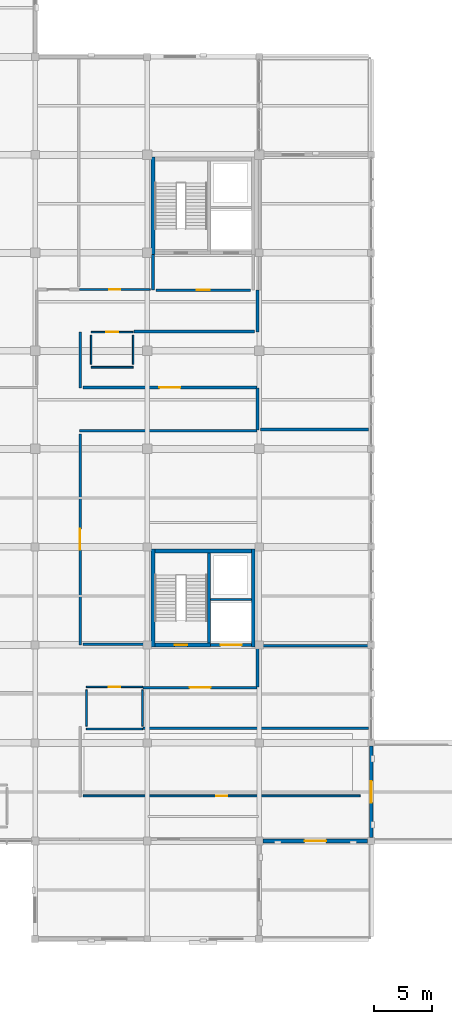
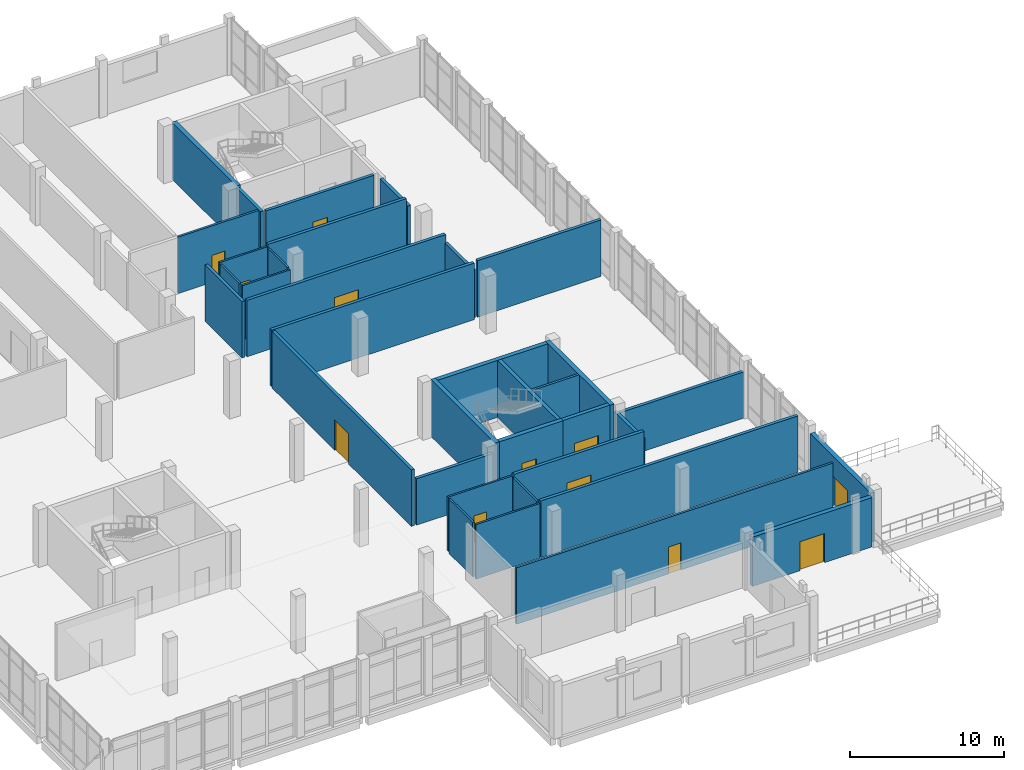
# One storey, part 93 of 102: 35 walls, 12 doors, 12 openings.
"""IFC4 building model written with IfcOpenShell, lengths in metres."""

from ifc_helpers import new_model, si_unit, direction, frame, frame_2d, origin, place, context, subcontext, project, spatial, rectangle, extrude, material, layer, layer_set, type_object, element, fill, save


model = new_model("IFC4")

# Units and contexts
model_context = context("Model", 3, precision=1e-05, world=origin(), true_north=direction((0.0, 1.0)))
body_context = subcontext(model_context, "Body", "Model", "MODEL_VIEW")
ifc_project = project(units=[si_unit("LENGTHUNIT", "METRE"), si_unit("AREAUNIT", "SQUARE_METRE"), si_unit("VOLUMEUNIT", "CUBIC_METRE"), si_unit("PLANEANGLEUNIT", "RADIAN"), si_unit("MASSUNIT", "GRAM", prefix="KILO")], contexts=[model_context])

# Site, building, storey
site_placement = place(None, origin())
site = spatial("IfcSite", under=ifc_project, at=site_placement, CompositionType="ELEMENT")
building_placement = place(site_placement, origin())
building = spatial("IfcBuilding", under=site, at=building_placement, Name="Lornevale Opera House", CompositionType="ELEMENT")
storey_placement = place(building_placement, frame((0.0, 0.0, 5.39990234375)))
storey = spatial("IfcBuildingStorey", under=building, at=storey_placement, Name="L02", CompositionType="ELEMENT", Elevation=5.39990234375)

# Wall, opening, door
ifc_material_1 = material(Name="Queenston Buff Limestone Ashlar Masonry (25 MPa)", Category="masonry")
ifc_layer_1 = layer(ifc_material_1, 0.324951171875)
ifc_layer_set_1 = layer_set([ifc_layer_1], Name="Queenston Buff Limestone Ashlar Masonry (25 MPa)")
wall_type_1 = type_object("IfcWallType", Name="Backstage Limestone Facade Wall 325", PredefinedType="SOLIDWALL", material=ifc_layer_set_1)
wall_1_placement = place(storey_placement, frame((153.300048828125, 16.800048828125, 0.0), z_axis=(0.0, 0.0, 1.0), x_axis=(-1.0, 0.0, 0.0)))
wall_1 = element("IfcWall", 1, at=wall_1_placement, inside=storey, type_object=wall_type_1, Name="Backstage Limestone Facade Wall 325 WL-EXT-0215", PredefinedType="SOLIDWALL", context=body_context, shape_type="SweptSolid", body=[
    extrude(rectangle(XDim=8.97509765625, YDim=0.324951171875, at=frame_2d((4.487548828125, 0.0))), origin(), (0.0, 0.0, 1.0), 3.91015625),
])
opening_1_placement = place(wall_1_placement, frame((3.56201171875, 0.0, 0.0)))
opening_1 = element("IfcOpeningElement", 2, at=opening_1_placement, cuts=wall_1, Name="Opening DR-T03", PredefinedType="OPENING", context=body_context, shape_type="SweptSolid", body=[
    extrude(rectangle(XDim=1.85009765625, YDim=2.300048828125, at=frame_2d((0.925048828125, 1.14990234375))), frame((0.0, 0.17236328125, 0.0), z_axis=(0.0, -1.0, 0.0), x_axis=(1.0, 0.0, 0.0)), (0.0, 0.0, 1.0), 0.344970703125),
])
ifc_material_2 = material(Name="Anodized Oxide-Green Aluminium Framing", Category="aluminium")
ifc_layer_2 = layer(ifc_material_2, 0.050048828125)
ifc_layer_set_2 = layer_set([ifc_layer_2], Name="Anodized Oxide-Green Aluminium Framing")
door_type_1 = type_object("IfcDoorType", Name="Escarpment Terrace Double Door 1850x2300", OperationType="NOTDEFINED", PredefinedType="DOOR", material=ifc_layer_set_2)
door_1_placement = place(opening_1_placement, origin())
door_1 = element("IfcDoor", 3, at=door_1_placement, inside=storey, type_object=door_type_1, Name="Escarpment Terrace Double Door 1850x2300 DR-EXT-037", OperationType="DOUBLE_DOOR_SINGLE_SWING", OverallHeight=2.300048828125, OverallWidth=1.85009765625, PredefinedType="DOOR", context=body_context, shape_type="SweptSolid", body=[
    extrude(rectangle(XDim=1.85009765625, YDim=2.300048828125, at=frame_2d((0.925048828125, 1.14990234375))), frame((0.0, 0.02490234375, 0.0), z_axis=(0.0, -1.0, 0.0), x_axis=(1.0, 0.0, 0.0)), (0.0, 0.0, 1.0), 0.050048828125),
])
fill(opening_1, door_1)

wall_2_placement = place(storey_placement, frame((153.60009765625, 24.925048828125, 0.0), z_axis=(0.0, 0.0, 1.0), x_axis=(0.0, -1.0, 0.0)))
wall_2 = element("IfcWall", 4, at=wall_2_placement, inside=storey, type_object=wall_type_1, Name="Backstage Limestone Facade Wall 325 WL-EXT-0216", PredefinedType="SOLIDWALL", context=body_context, shape_type="SweptSolid", body=[
    extrude(rectangle(XDim=7.824951171875, YDim=0.324951171875, at=frame_2d((3.91259765625, 0.0))), origin(), (0.0, 0.0, 1.0), 3.91015625),
])
opening_2_placement = place(wall_2_placement, frame((2.987060546875, 0.0, 0.0)))
opening_2 = element("IfcOpeningElement", 5, at=opening_2_placement, cuts=wall_2, Name="Opening DR-T03", PredefinedType="OPENING", context=body_context, shape_type="SweptSolid", body=[
    extrude(rectangle(XDim=1.85009765625, YDim=2.300048828125, at=frame_2d((0.925048828125, 1.14990234375))), frame((0.0, 0.17236328125, 0.0), z_axis=(0.0, -1.0, 0.0), x_axis=(1.0, 0.0, 0.0)), (0.0, 0.0, 1.0), 0.344970703125),
])
door_2_placement = place(opening_2_placement, origin())
door_2 = element("IfcDoor", 6, at=door_2_placement, inside=storey, type_object=door_type_1, Name="Escarpment Terrace Double Door 1850x2300 DR-EXT-038", OperationType="DOUBLE_DOOR_SINGLE_SWING", OverallHeight=2.300048828125, OverallWidth=1.85009765625, PredefinedType="DOOR", context=body_context, shape_type="SweptSolid", body=[
    extrude(rectangle(XDim=1.85009765625, YDim=2.300048828125, at=frame_2d((0.925048828125, 1.14990234375))), frame((0.0, 0.02490234375, 0.0), z_axis=(0.0, -1.0, 0.0), x_axis=(1.0, 0.0, 0.0)), (0.0, 0.0, 1.0), 0.050048828125),
])
fill(opening_2, door_2)

# Wall
ifc_material_3 = material(Name="Concrete 40 MPa (CSA A23.1 C-1)", Category="concrete")
ifc_layer_3 = layer(ifc_material_3, 0.320068359375)
ifc_layer_set_3 = layer_set([ifc_layer_3], Name="Concrete 40 MPa (CSA A23.1 C-1)")
wall_type_2 = type_object("IfcWallType", Name="Core Shear Wall 320", PredefinedType="SHEAR", material=ifc_layer_set_3)
wall_3_placement = place(storey_placement, frame((134.89990234375, 75.39990234375, 0.0), z_axis=(0.0, 0.0, 1.0), x_axis=(0.0, -1.0, 0.0)))
element("IfcWall", 7, at=wall_3_placement, inside=storey, type_object=wall_type_2, Name="Backstage Firefighter Core East Core Shear Wall 320 WL-COR-0285", PredefinedType="SHEAR", context=body_context, shape_type="SweptSolid", body=[
    extrude(rectangle(XDim=8.35986328125, YDim=0.320068359375, at=frame_2d((4.179931640625, 0.0))), origin(), (0.0, 0.0, 1.0), 4.52001953125),
])

# Wall, opening, door
wall_4_placement = place(storey_placement, frame((135.06005859375, 33.60009765625, 0.0), z_axis=(0.0, 0.0, 1.0), x_axis=(1.0, 0.0, 0.0)))
wall_4 = element("IfcWall", 8, at=wall_4_placement, inside=storey, type_object=wall_type_2, Name="Backstage Service Lift Core Core Shear Wall 320 WL-COR-0338", PredefinedType="SHEAR", context=body_context, shape_type="SweptSolid", body=[
    extrude(rectangle(XDim=4.780029296875, YDim=0.320068359375, at=frame_2d((2.39013671875, 0.0))), origin(), (0.0, 0.0, 1.0), 4.52001953125),
])
opening_3_placement = place(wall_4_placement, frame((1.68994140625, 0.0, 0.0)))
opening_3 = element("IfcOpeningElement", 9, at=opening_3_placement, cuts=wall_4, Name="Opening DR-T11", PredefinedType="OPENING", context=body_context, shape_type="SweptSolid", body=[
    extrude(rectangle(XDim=1.10009765625, YDim=2.199951171875, at=frame_2d((0.550048828125, 1.10009765625))), frame((0.0, 0.169921875, 0.0), z_axis=(0.0, -1.0, 0.0), x_axis=(1.0, 0.0, 0.0)), (0.0, 0.0, 1.0), 0.340087890625),
])
ifc_material_4 = material(Name="Painted Hollow Metal Door Steel", Category="steel")
ifc_layer_4 = layer(ifc_material_4, 2.199951171875)
ifc_layer_set_4 = layer_set([ifc_layer_4], Name="Painted Hollow Metal Door Steel")
door_type_2 = type_object("IfcDoorType", Name="Protected Exit Stair Door R 1100x2200", OperationType="NOTDEFINED", PredefinedType="DOOR", material=ifc_layer_set_4)
door_3_placement = place(opening_3_placement, origin())
door_3 = element("IfcDoor", 10, at=door_3_placement, inside=storey, type_object=door_type_2, Name="C8 Stair Door L02", OperationType="SINGLE_SWING_RIGHT", OverallHeight=2.199951171875, OverallWidth=1.10009765625, PredefinedType="DOOR", context=body_context, shape_type="SweptSolid", body=[
    extrude(rectangle(XDim=1.10009765625, YDim=2.199951171875, at=frame_2d((0.550048828125, 1.10009765625))), frame((0.0, 0.02490234375, 0.0), z_axis=(0.0, -1.0, 0.0), x_axis=(1.0, 0.0, 0.0)), (0.0, 0.0, 1.0), 0.050048828125),
])
fill(opening_3, door_3)

# Walls
wall_5_placement = place(storey_placement, frame((143.340087890625, 41.639892578125, 0.0), z_axis=(0.0, 0.0, 1.0), x_axis=(-1.0, 0.0, 0.0)))
element("IfcWall", 11, at=wall_5_placement, inside=storey, type_object=wall_type_2, Name="Backstage Service Lift Core Core Shear Wall 320 WL-COR-0340", PredefinedType="SHEAR", context=body_context, shape_type="SweptSolid", body=[
    extrude(rectangle(XDim=8.280029296875, YDim=0.320068359375, at=frame_2d((4.14013671875, 0.0))), origin(), (0.0, 0.0, 1.0), 4.52001953125),
])
for number, where, z_axis, x_axis, name in (
    (12, (134.89990234375, 41.800048828125, 0.0), (0.0, 0.0, 1.0), (0.0, -1.0, 0.0), "Backstage Service Lift Core Core Shear Wall 320 WL-COR-0341"),
    (13, (143.5, 33.43994140625, 0.0), (0.0, 0.0, 1.0), (0.0, 1.0, 0.0), "Backstage Service Lift Core Core Shear Wall 320 WL-COR-0342"),
):
    element("IfcWall", number, at=place(storey_placement, frame(where, z_axis=z_axis, x_axis=x_axis)), inside=storey, type_object=wall_type_2, Name=name, PredefinedType="SHEAR", context=body_context, shape_type="SweptSolid", body=[
        extrude(rectangle(XDim=8.360107421875, YDim=0.320068359375, at=frame_2d((4.18017578125, 0.0))), origin(), (0.0, 0.0, 1.0), 4.52001953125),
    ])

# Wall, opening, door
ifc_material_5 = material(Name="Acoustic Mineral-Core Gypsum Partition", Category="gypsum")
ifc_layer_5 = layer(ifc_material_5, 0.1650390625)
ifc_layer_set_5 = layer_set([ifc_layer_5], Name="Acoustic Mineral-Core Gypsum Partition")
wall_type_3 = type_object("IfcWallType", Name="Corridor Rated Partition 165", PredefinedType="PARTITIONING", material=ifc_layer_set_5)
wall_6_placement = place(storey_placement, frame((128.909912109375, 20.659912109375, 0.0), z_axis=(0.0, 0.0, 1.0), x_axis=(1.0, 0.0, 0.0)))
wall_6 = element("IfcWall", 14, at=wall_6_placement, inside=storey, type_object=wall_type_3, Name="L02 Partition WL-INT-0780", PredefinedType="PARTITIONING", context=body_context, shape_type="SweptSolid", body=[
    extrude(rectangle(XDim=23.734130859375, YDim=0.1650390625, at=frame_2d((11.8671875, 0.0))), origin(), (0.0, 0.0, 1.0), 4.47998046875),
])
opening_4_placement = place(wall_6_placement, frame((11.39208984375, 0.0, 0.0)))
opening_4 = element("IfcOpeningElement", 15, at=opening_4_placement, cuts=wall_6, Name="Opening DR-T19", PredefinedType="OPENING", context=body_context, shape_type="SweptSolid", body=[
    extrude(rectangle(XDim=0.949951171875, YDim=2.14990234375, at=frame_2d((0.47509765625, 1.074951171875))), frame((0.0, 0.092529296875, 0.0), z_axis=(0.0, -1.0, 0.0), x_axis=(1.0, 0.0, 0.0)), (0.0, 0.0, 1.0), 0.18505859375),
])
ifc_material_6 = material(Name="White Oak Acoustic Panelling", Category="wood")
ifc_layer_6 = layer(ifc_material_6, 2.14990234375)
ifc_layer_set_6 = layer_set([ifc_layer_6], Name="White Oak Acoustic Panelling")
door_type_3 = type_object("IfcDoorType", Name="Soloist Dressing Door L 950x2150", OperationType="NOTDEFINED", PredefinedType="DOOR", material=ifc_layer_set_6)
door_4_placement = place(opening_4_placement, origin())
door_4 = element("IfcDoor", 16, at=door_4_placement, inside=storey, type_object=door_type_3, Name="Soloist Dressing Suites Door", OperationType="SINGLE_SWING_LEFT", OverallHeight=2.14990234375, OverallWidth=0.949951171875, PredefinedType="DOOR", context=body_context, shape_type="SweptSolid", body=[
    extrude(rectangle(XDim=0.949951171875, YDim=2.14990234375, at=frame_2d((0.47509765625, 1.074951171875))), frame((0.0, 0.02490234375, 0.0), z_axis=(0.0, -1.0, 0.0), x_axis=(1.0, 0.0, 0.0)), (0.0, 0.0, 1.0), 0.050048828125),
])
fill(opening_4, door_4)

wall_7_placement = place(storey_placement, frame((128.60009765625, 64.06005859375, 0.0), z_axis=(0.0, 0.0, 1.0), x_axis=(1.0, 0.0, 0.0)))
wall_7 = element("IfcWall", 17, at=wall_7_placement, inside=storey, type_object=wall_type_3, Name="L02 Partition WL-INT-0784", PredefinedType="PARTITIONING", context=body_context, shape_type="SweptSolid", body=[
    extrude(rectangle(XDim=6.0498046875, YDim=0.1650390625, at=frame_2d((3.02490234375, 0.0))), origin(), (0.0, 0.0, 1.0), 4.47998046875),
])
opening_5_placement = place(wall_7_placement, frame((2.550048828125, 0.0, 0.0)))
opening_5 = element("IfcOpeningElement", 18, at=opening_5_placement, cuts=wall_7, Name="Opening DR-T20", PredefinedType="OPENING", context=body_context, shape_type="SweptSolid", body=[
    extrude(rectangle(XDim=0.949951171875, YDim=2.14990234375, at=frame_2d((0.47509765625, 1.074951171875))), frame((0.0, 0.092529296875, 0.0), z_axis=(0.0, -1.0, 0.0), x_axis=(1.0, 0.0, 0.0)), (0.0, 0.0, 1.0), 0.18505859375),
])
ifc_layer_7 = layer(ifc_material_6, 2.14990234375)
ifc_layer_set_7 = layer_set([ifc_layer_7], Name="White Oak Acoustic Panelling")
door_type_4 = type_object("IfcDoorType", Name="Soloist Dressing Door R 950x2150", OperationType="NOTDEFINED", PredefinedType="DOOR", material=ifc_layer_set_7)
door_5_placement = place(opening_5_placement, origin())
door_5 = element("IfcDoor", 19, at=door_5_placement, inside=storey, type_object=door_type_4, Name="Artistic Direction & Green Room Door", OperationType="SINGLE_SWING_RIGHT", OverallHeight=2.14990234375, OverallWidth=0.949951171875, PredefinedType="DOOR", context=body_context, shape_type="SweptSolid", body=[
    extrude(rectangle(XDim=0.949951171875, YDim=2.14990234375, at=frame_2d((0.47509765625, 1.074951171875))), frame((0.0, 0.02490234375, 0.0), z_axis=(0.0, -1.0, 0.0), x_axis=(1.0, 0.0, 0.0)), (0.0, 0.0, 1.0), 0.050048828125),
])
fill(opening_5, door_5)

ifc_layer_8 = layer(ifc_material_3, 0.280029296875)
ifc_layer_set_8 = layer_set([ifc_layer_8], Name="Concrete 40 MPa (CSA A23.1 C-1)")
wall_type_4 = type_object("IfcWallType", Name="Elevator Shaft Wall 280", PredefinedType="SHEAR", material=ifc_layer_set_8)
wall_8_placement = place(storey_placement, frame((139.840087890625, 33.60009765625, 0.0), z_axis=(0.0, 0.0, 1.0), x_axis=(1.0, 0.0, 0.0)))
wall_8 = element("IfcWall", 20, at=wall_8_placement, inside=storey, type_object=wall_type_4, Name="Backstage Service Lift Core Elevator Shaft Wall 280 WL-COR-0339", PredefinedType="SHEAR", context=body_context, shape_type="SweptSolid", body=[
    extrude(rectangle(XDim=3.5, YDim=0.280029296875, at=frame_2d((1.75, 0.0))), origin(), (0.0, 0.0, 1.0), 4.52001953125),
])
opening_6_placement = place(wall_8_placement, frame((0.860107421875, 0.0, 0.0)))
opening_6 = element("IfcOpeningElement", 21, at=opening_6_placement, cuts=wall_8, Name="Opening DR-T27", PredefinedType="OPENING", context=body_context, shape_type="SweptSolid", body=[
    extrude(rectangle(XDim=1.800048828125, YDim=2.39990234375, at=frame_2d((0.89990234375, 1.199951171875))), frame((0.0, 0.14990234375, 0.0), z_axis=(0.0, -1.0, 0.0), x_axis=(1.0, 0.0, 0.0)), (0.0, 0.0, 1.0), 0.300048828125),
])
ifc_layer_9 = layer(ifc_material_4, 2.39990234375)
ifc_layer_set_9 = layer_set([ifc_layer_9], Name="Painted Hollow Metal Door Steel")
door_type_5 = type_object("IfcDoorType", Name="Freight Lift Landing Door 1800x2400", OperationType="NOTDEFINED", PredefinedType="DOOR", material=ifc_layer_set_9)
door_6_placement = place(opening_6_placement, origin())
door_6 = element("IfcDoor", 22, at=door_6_placement, inside=storey, type_object=door_type_5, Name="L-B2 Landing Door L02", OperationType="SLIDING_TO_LEFT", OverallHeight=2.39990234375, OverallWidth=1.800048828125, PredefinedType="DOOR", context=body_context, shape_type="SweptSolid", body=[
    extrude(rectangle(XDim=1.800048828125, YDim=2.39990234375, at=frame_2d((0.89990234375, 1.199951171875))), frame((0.0, 0.02490234375, 0.0), z_axis=(0.0, -1.0, 0.0), x_axis=(1.0, 0.0, 0.0)), (0.0, 0.0, 1.0), 0.050048828125),
])
fill(opening_6, door_6)

# Walls
wall_9_placement = place(storey_placement, frame((139.699951171875, 33.760009765625, 0.0), z_axis=(0.0, 0.0, 1.0), x_axis=(0.0, 1.0, 0.0)))
element("IfcWall", 23, at=wall_9_placement, inside=storey, type_object=wall_type_4, Name="Backstage Service Lift Core Elevator Shaft Wall 280 WL-COR-0343", PredefinedType="SHEAR", context=body_context, shape_type="SweptSolid", body=[
    extrude(rectangle(XDim=7.719970703125, YDim=0.280029296875, at=frame_2d((3.85986328125, 0.0))), origin(), (0.0, 0.0, 1.0), 4.52001953125),
])
ifc_material_7 = material(Name="Concrete 35 MPa (CSA A23.1 N)", Category="concrete")
ifc_layer_10 = layer(ifc_material_7, 0.219970703125)
ifc_layer_set_10 = layer_set([ifc_layer_10], Name="Concrete 35 MPa (CSA A23.1 N)")
wall_type_5 = type_object("IfcWallType", Name="Firefighter Vestibule Wall 220", PredefinedType="SOLIDWALL", material=ifc_layer_set_10)
wall_10_placement = place(storey_placement, frame((134.89990234375, 64.0, 0.0), z_axis=(0.0, 0.0, 1.0), x_axis=(0.0, 1.0, 0.0)))
element("IfcWall", 24, at=wall_10_placement, inside=storey, type_object=wall_type_5, Name="C7 Vestibule West Wall WL-INT-0397", PredefinedType="SOLIDWALL", context=body_context, shape_type="SweptSolid", body=[
    extrude(rectangle(XDim=3.0400390625, YDim=0.219970703125, at=frame_2d((1.52001953125, 0.0))), origin(), (0.0, 0.0, 1.0), 4.320068359375),
])

# Wall, opening, door
wall_11_placement = place(storey_placement, frame((135.14990234375, 64.0, 0.0), z_axis=(0.0, 0.0, 1.0), x_axis=(1.0, 0.0, 0.0)))
wall_11 = element("IfcWall", 25, at=wall_11_placement, inside=storey, type_object=wall_type_5, Name="C7 Vestibule South Wall WL-INT-0399", PredefinedType="SOLIDWALL", context=body_context, shape_type="SweptSolid", body=[
    extrude(rectangle(XDim=8.10009765625, YDim=0.219970703125, at=frame_2d((4.050048828125, 0.0))), origin(), (0.0, 0.0, 1.0), 4.320068359375),
])
opening_7_placement = place(wall_11_placement, frame((3.5, 0.0, 0.0)))
opening_7 = element("IfcOpeningElement", 26, at=opening_7_placement, cuts=wall_11, Name="Opening DR-T13", PredefinedType="OPENING", context=body_context, shape_type="SweptSolid", body=[
    extrude(rectangle(XDim=1.10009765625, YDim=2.199951171875, at=frame_2d((0.550048828125, 1.10009765625))), frame((0.0, 0.119873046875, 0.0), z_axis=(0.0, -1.0, 0.0), x_axis=(1.0, 0.0, 0.0)), (0.0, 0.0, 1.0), 0.239990234375),
])
ifc_layer_11 = layer(ifc_material_4, 2.199951171875)
ifc_layer_set_11 = layer_set([ifc_layer_11], Name="Painted Hollow Metal Door Steel")
door_type_6 = type_object("IfcDoorType", Name="Firefighter Vestibule Door 1100x2200", OperationType="NOTDEFINED", PredefinedType="DOOR", material=ifc_layer_set_11)
door_7_placement = place(opening_7_placement, origin())
door_7 = element("IfcDoor", 27, at=door_7_placement, inside=storey, type_object=door_type_6, Name="C7 Firefighter Vestibule Door L02", OperationType="SINGLE_SWING_LEFT", OverallHeight=2.199951171875, OverallWidth=1.10009765625, PredefinedType="DOOR", context=body_context, shape_type="SweptSolid", body=[
    extrude(rectangle(XDim=1.10009765625, YDim=2.199951171875, at=frame_2d((0.550048828125, 1.10009765625))), frame((0.0, 0.02490234375, 0.0), z_axis=(0.0, -1.0, 0.0), x_axis=(1.0, 0.0, 0.0)), (0.0, 0.0, 1.0), 0.050048828125),
])
fill(opening_7, door_7)

# Wall
ifc_layer_12 = layer(ifc_material_5, 0.22998046875)
ifc_layer_set_12 = layer_set([ifc_layer_12], Name="Acoustic Mineral-Core Gypsum Partition")
wall_type_6 = type_object("IfcWallType", Name="Rehearsal Studio Acoustic Wall 230", PredefinedType="SOLIDWALL", material=ifc_layer_set_12)
wall_12_placement = place(storey_placement, frame((128.60009765625, 51.93994140625, 0.0), z_axis=(0.0, 0.0, 1.0), x_axis=(1.0, 0.0, 0.0)))
element("IfcWall", 28, at=wall_12_placement, inside=storey, type_object=wall_type_6, Name="L02 Partition WL-INT-0781", PredefinedType="SOLIDWALL", context=body_context, shape_type="SweptSolid", body=[
    extrude(rectangle(XDim=15.199951171875, YDim=0.22998046875, at=frame_2d((7.60009765625, 0.0))), origin(), (0.0, 0.0, 1.0), 4.47998046875),
])

# Wall, opening, door
wall_13_placement = place(storey_placement, frame((128.659912109375, 33.60009765625, 0.0), z_axis=(0.0, 0.0, 1.0), x_axis=(0.0, 1.0, 0.0)))
wall_13 = element("IfcWall", 29, at=wall_13_placement, inside=storey, type_object=wall_type_6, Name="L02 Partition WL-INT-0782", PredefinedType="SOLIDWALL", context=body_context, shape_type="SweptSolid", body=[
    extrude(rectangle(XDim=18.08984375, YDim=0.22998046875, at=frame_2d((9.044921875, 0.0))), origin(), (0.0, 0.0, 1.0), 4.47998046875),
])
opening_8_placement = place(wall_13_placement, frame((8.14501953125, 0.0, 0.0)))
opening_8 = element("IfcOpeningElement", 30, at=opening_8_placement, cuts=wall_13, Name="Opening DR-T18", PredefinedType="OPENING", context=body_context, shape_type="SweptSolid", body=[
    extrude(rectangle(XDim=1.800048828125, YDim=2.39990234375, at=frame_2d((0.89990234375, 1.199951171875))), frame((0.0, 0.125, 0.0), z_axis=(0.0, -1.0, 0.0), x_axis=(1.0, 0.0, 0.0)), (0.0, 0.0, 1.0), 0.25),
])
ifc_layer_13 = layer(ifc_material_6, 2.39990234375)
ifc_layer_set_13 = layer_set([ifc_layer_13], Name="White Oak Acoustic Panelling")
door_type_7 = type_object("IfcDoorType", Name="Rehearsal Studio Pair 1800x2400", OperationType="NOTDEFINED", PredefinedType="DOOR", material=ifc_layer_set_13)
door_8_placement = place(opening_8_placement, origin())
door_8 = element("IfcDoor", 31, at=door_8_placement, inside=storey, type_object=door_type_7, Name="Chorus Dressing Rooms Door", OperationType="DOUBLE_SWING_LEFT", OverallHeight=2.39990234375, OverallWidth=1.800048828125, PredefinedType="DOOR", context=body_context, shape_type="SweptSolid", body=[
    extrude(rectangle(XDim=1.800048828125, YDim=2.39990234375, at=frame_2d((0.89990234375, 1.199951171875))), frame((0.0, 0.02490234375, 0.0), z_axis=(0.0, -1.0, 0.0), x_axis=(1.0, 0.0, 0.0)), (0.0, 0.0, 1.0), 0.050048828125),
])
fill(opening_8, door_8)

# Walls
wall_14_placement = place(storey_placement, frame((128.909912109375, 33.659912109375, 0.0), z_axis=(0.0, 0.0, 1.0), x_axis=(1.0, 0.0, 0.0)))
element("IfcWall", 32, at=wall_14_placement, inside=storey, type_object=wall_type_6, Name="L02 Partition WL-INT-0783", PredefinedType="SOLIDWALL", context=body_context, shape_type="SweptSolid", body=[
    extrude(rectangle(XDim=5.739990234375, YDim=0.22998046875, at=frame_2d((2.8701171875, 0.0))), origin(), (0.0, 0.0, 1.0), 3.670166015625),
])
wall_15_placement = place(storey_placement, frame((143.860107421875, 60.39990234375, 0.0), z_axis=(0.0, 0.0, 1.0), x_axis=(0.0, 1.0, 0.0)))
element("IfcWall", 33, at=wall_15_placement, inside=storey, type_object=wall_type_6, Name="L02 Partition WL-INT-0787", PredefinedType="SOLIDWALL", context=body_context, shape_type="SweptSolid", body=[
    extrude(rectangle(XDim=3.60009765625, YDim=0.22998046875, at=frame_2d((1.800048828125, 0.0))), origin(), (0.0, 0.0, 1.0), 3.81005859375),
])
wall_16_placement = place(storey_placement, frame((133.260009765625, 60.4599609375, 0.0), z_axis=(0.0, 0.0, 1.0), x_axis=(1.0, 0.0, 0.0)))
element("IfcWall", 34, at=wall_16_placement, inside=storey, type_object=wall_type_6, Name="L02 Partition WL-INT-0788", PredefinedType="SOLIDWALL", context=body_context, shape_type="SweptSolid", body=[
    extrude(rectangle(XDim=10.35009765625, YDim=0.22998046875, at=frame_2d((5.175048828125, 0.0))), origin(), (0.0, 0.0, 1.0), 4.47998046875),
])
wall_17_placement = place(storey_placement, frame((128.659912109375, 55.60009765625, 0.0), z_axis=(0.0, 0.0, 1.0), x_axis=(0.0, 1.0, 0.0)))
element("IfcWall", 35, at=wall_17_placement, inside=storey, type_object=wall_type_6, Name="L02 Partition WL-INT-0789", PredefinedType="SOLIDWALL", context=body_context, shape_type="SweptSolid", body=[
    extrude(rectangle(XDim=4.7998046875, YDim=0.22998046875, at=frame_2d((2.39990234375, 0.0))), origin(), (0.0, 0.0, 1.0), 4.47998046875),
])

# Wall, opening, door
wall_18_placement = place(storey_placement, frame((128.909912109375, 55.659912109375, 0.0), z_axis=(0.0, 0.0, 1.0), x_axis=(1.0, 0.0, 0.0)))
wall_18 = element("IfcWall", 36, at=wall_18_placement, inside=storey, type_object=wall_type_6, Name="L02 Partition WL-INT-0790", PredefinedType="SOLIDWALL", context=body_context, shape_type="SweptSolid", body=[
    extrude(rectangle(XDim=14.89013671875, YDim=0.22998046875, at=frame_2d((7.445068359375, 0.0))), origin(), (0.0, 0.0, 1.0), 4.47998046875),
])
opening_9_placement = place(wall_18_placement, frame((6.544921875, 0.0, 0.0)))
opening_9 = element("IfcOpeningElement", 37, at=opening_9_placement, cuts=wall_18, Name="Opening DR-T18", PredefinedType="OPENING", context=body_context, shape_type="SweptSolid", body=[
    extrude(rectangle(XDim=1.800048828125, YDim=2.39990234375, at=frame_2d((0.89990234375, 1.199951171875))), frame((0.0, 0.125, 0.0), z_axis=(0.0, -1.0, 0.0), x_axis=(1.0, 0.0, 0.0)), (0.0, 0.0, 1.0), 0.25),
])
door_9_placement = place(opening_9_placement, origin())
door_9 = element("IfcDoor", 38, at=door_9_placement, inside=storey, type_object=door_type_7, Name="Artist Ensemble Rehearsal Lounge Door", OperationType="DOUBLE_SWING_LEFT", OverallHeight=2.39990234375, OverallWidth=1.800048828125, PredefinedType="DOOR", context=body_context, shape_type="SweptSolid", body=[
    extrude(rectangle(XDim=1.800048828125, YDim=2.39990234375, at=frame_2d((0.89990234375, 1.199951171875))), frame((0.0, 0.02490234375, 0.0), z_axis=(0.0, -1.0, 0.0), x_axis=(1.0, 0.0, 0.0)), (0.0, 0.0, 1.0), 0.050048828125),
])
fill(opening_9, door_9)

# Walls
for number, where, z_axis, x_axis, name in (
    (39, (143.860107421875, 52.0, 0.0), (0.0, 0.0, 1.0), (0.0, 1.0, 0.0), "L02 Partition WL-INT-0791"),
    (40, (143.860107421875, 30.0, 0.0), (0.0, 0.0, 1.0), (0.0, 1.0, 0.0), "L02 Partition WL-INT-0794"),
):
    element("IfcWall", number, at=place(storey_placement, frame(where, z_axis=z_axis, x_axis=x_axis)), inside=storey, type_object=wall_type_6, Name=name, PredefinedType="SOLIDWALL", context=body_context, shape_type="SweptSolid", body=[
        extrude(rectangle(XDim=3.60009765625, YDim=0.22998046875, at=frame_2d((1.800048828125, 0.0))), origin(), (0.0, 0.0, 1.0), 3.81005859375),
    ])

# Wall, opening, door
wall_19_placement = place(storey_placement, frame((134.06005859375, 29.93994140625, 0.0), z_axis=(0.0, 0.0, 1.0), x_axis=(1.0, 0.0, 0.0)))
wall_19 = element("IfcWall", 41, at=wall_19_placement, inside=storey, type_object=wall_type_6, Name="L02 Partition WL-INT-0795", PredefinedType="SOLIDWALL", context=body_context, shape_type="SweptSolid", body=[
    extrude(rectangle(XDim=9.739990234375, YDim=0.22998046875, at=frame_2d((4.8701171875, 0.0))), origin(), (0.0, 0.0, 1.0), 4.47998046875),
])
opening_10_placement = place(wall_19_placement, frame((3.969970703125, 0.0, 0.0)))
opening_10 = element("IfcOpeningElement", 42, at=opening_10_placement, cuts=wall_19, Name="Opening DR-T18", PredefinedType="OPENING", context=body_context, shape_type="SweptSolid", body=[
    extrude(rectangle(XDim=1.800048828125, YDim=2.39990234375, at=frame_2d((0.89990234375, 1.199951171875))), frame((0.0, 0.125, 0.0), z_axis=(0.0, -1.0, 0.0), x_axis=(1.0, 0.0, 0.0)), (0.0, 0.0, 1.0), 0.25),
])
door_10_placement = place(opening_10_placement, origin())
door_10 = element("IfcDoor", 43, at=door_10_placement, inside=storey, type_object=door_type_7, Name="Artist Ensemble Rehearsal Lounge Door", OperationType="DOUBLE_SWING_LEFT", OverallHeight=2.39990234375, OverallWidth=1.800048828125, PredefinedType="DOOR", context=body_context, shape_type="SweptSolid", body=[
    extrude(rectangle(XDim=1.800048828125, YDim=2.39990234375, at=frame_2d((0.89990234375, 1.199951171875))), frame((0.0, 0.02490234375, 0.0), z_axis=(0.0, -1.0, 0.0), x_axis=(1.0, 0.0, 0.0)), (0.0, 0.0, 1.0), 0.050048828125),
])
fill(opening_10, door_10)

# Walls
wall_20_placement = place(storey_placement, frame((134.06005859375, 26.4599609375, 0.0), z_axis=(0.0, 0.0, 1.0), x_axis=(1.0, 0.0, 0.0)))
element("IfcWall", 44, at=wall_20_placement, inside=storey, type_object=wall_type_6, Name="L02 Partition WL-INT-0810", PredefinedType="SOLIDWALL", context=body_context, shape_type="SweptSolid", body=[
    extrude(rectangle(XDim=19.2900390625, YDim=0.22998046875, at=frame_2d((9.64501953125, 0.0))), origin(), (0.0, 0.0, 1.0), 4.47998046875),
])
wall_21_placement = place(storey_placement, frame((144.110107421875, 52.06005859375, 0.0), z_axis=(0.0, 0.0, 1.0), x_axis=(1.0, 0.0, 0.0)))
element("IfcWall", 45, at=wall_21_placement, inside=storey, type_object=wall_type_6, Name="L02 Partition WL-INT-0811", PredefinedType="SOLIDWALL", context=body_context, shape_type="SweptSolid", body=[
    extrude(rectangle(XDim=9.239990234375, YDim=0.22998046875, at=frame_2d((4.6201171875, 0.0))), origin(), (0.0, 0.0, 1.0), 4.47998046875),
])
wall_22_placement = place(storey_placement, frame((144.110107421875, 33.5400390625, 0.0), z_axis=(0.0, 0.0, 1.0), x_axis=(1.0, 0.0, 0.0)))
element("IfcWall", 46, at=wall_22_placement, inside=storey, type_object=wall_type_6, Name="L02 Partition WL-INT-0812", PredefinedType="SOLIDWALL", context=body_context, shape_type="SweptSolid", body=[
    extrude(rectangle(XDim=9.269775390625, YDim=0.22998046875, at=frame_2d((4.634765625, 0.0))), origin(), (0.0, 0.0, 1.0), 3.670166015625),
])
ifc_material_8 = material(Name="Moisture-Resistant Ceramic & Gypsum Partition", Category="gypsum")
ifc_layer_14 = layer(ifc_material_8, 0.179931640625)
ifc_layer_set_14 = layer_set([ifc_layer_14], Name="Moisture-Resistant Ceramic & Gypsum Partition")
wall_type_7 = type_object("IfcWallType", Name="Riser Shaft Wall 180", PredefinedType="SOLIDWALL", material=ifc_layer_set_14)
wall_23_placement = place(storey_placement, frame((139.840087890625, 37.5, 0.0), z_axis=(0.0, 0.0, 1.0), x_axis=(1.0, 0.0, 0.0)))
element("IfcWall", 47, at=wall_23_placement, inside=storey, type_object=wall_type_7, Name="Backstage Service Lift Core Riser Shaft Wall 180 WL-COR-0344", PredefinedType="SOLIDWALL", context=body_context, shape_type="SweptSolid", body=[
    extrude(rectangle(XDim=3.5, YDim=0.179931640625, at=frame_2d((1.75, 0.0))), origin(), (0.0, 0.0, 1.0), 4.52001953125),
])
ifc_layer_15 = layer(ifc_material_8, 0.139892578125)
ifc_layer_set_15 = layer_set([ifc_layer_15], Name="Moisture-Resistant Ceramic & Gypsum Partition")
wall_type_8 = type_object("IfcWallType", Name="Washroom Moisture Partition 140", PredefinedType="PARTITIONING", material=ifc_layer_set_15)
wall_24_placement = place(storey_placement, frame((129.199951171875, 26.39990234375, 0.0), z_axis=(0.0, 0.0, 1.0), x_axis=(1.0, 0.0, 0.0)))
element("IfcWall", 48, at=wall_24_placement, inside=storey, type_object=wall_type_8, Name="Principal Artist En-Suite Washroom S Wall WL-INT-0476", PredefinedType="PARTITIONING", context=body_context, shape_type="SweptSolid", body=[
    extrude(rectangle(XDim=4.800048828125, YDim=0.139892578125, at=frame_2d((2.39990234375, 0.0))), origin(), (0.0, 0.0, 1.0), 4.320068359375),
])

# Wall, opening, door
wall_25_placement = place(storey_placement, frame((129.199951171875, 30.0, 0.0), z_axis=(0.0, 0.0, 1.0), x_axis=(1.0, 0.0, 0.0)))
wall_25 = element("IfcWall", 49, at=wall_25_placement, inside=storey, type_object=wall_type_8, Name="Principal Artist En-Suite Washroom N Wall WL-INT-0477", PredefinedType="PARTITIONING", context=body_context, shape_type="SweptSolid", body=[
    extrude(rectangle(XDim=4.800048828125, YDim=0.139892578125, at=frame_2d((2.39990234375, 0.0))), origin(), (0.0, 0.0, 1.0), 4.320068359375),
])
opening_11_placement = place(wall_25_placement, frame((1.925048828125, 0.0, 0.0)))
opening_11 = element("IfcOpeningElement", 50, at=opening_11_placement, cuts=wall_25, Name="Opening DR-T22", PredefinedType="OPENING", context=body_context, shape_type="SweptSolid", body=[
    extrude(rectangle(XDim=0.949951171875, YDim=2.14990234375, at=frame_2d((0.47509765625, 1.074951171875))), frame((0.0, 0.079833984375, 0.0), z_axis=(0.0, -1.0, 0.0), x_axis=(1.0, 0.0, 0.0)), (0.0, 0.0, 1.0), 0.159912109375),
])
ifc_layer_16 = layer(ifc_material_6, 2.14990234375)
ifc_layer_set_16 = layer_set([ifc_layer_16], Name="White Oak Acoustic Panelling")
door_type_8 = type_object("IfcDoorType", Name="Washroom Door R 950x2150", OperationType="NOTDEFINED", PredefinedType="DOOR", material=ifc_layer_set_16)
door_11_placement = place(opening_11_placement, origin())
door_11 = element("IfcDoor", 51, at=door_11_placement, inside=storey, type_object=door_type_8, Name="Principal Artist En-Suite Washroom Door", OperationType="SINGLE_SWING_RIGHT", OverallHeight=2.14990234375, OverallWidth=0.949951171875, PredefinedType="DOOR", context=body_context, shape_type="SweptSolid", body=[
    extrude(rectangle(XDim=0.949951171875, YDim=2.14990234375, at=frame_2d((0.47509765625, 1.074951171875))), frame((0.0, 0.02490234375, 0.0), z_axis=(0.0, -1.0, 0.0), x_axis=(1.0, 0.0, 0.0)), (0.0, 0.0, 1.0), 0.050048828125),
])
fill(opening_11, door_11)

# Walls
for number, where, z_axis, x_axis, name in (
    (52, (129.199951171875, 26.64990234375, 0.0), (0.0, 0.0, 1.0), (0.0, 1.0, 0.0), "Principal Artist En-Suite Washroom W Wall WL-INT-0478"),
    (53, (134.0, 26.64990234375, 0.0), (0.0, 0.0, 1.0), (0.0, 1.0, 0.0), "Principal Artist En-Suite Washroom E Wall WL-INT-0479"),
):
    element("IfcWall", number, at=place(storey_placement, frame(where, z_axis=z_axis, x_axis=x_axis)), inside=storey, type_object=wall_type_8, Name=name, PredefinedType="PARTITIONING", context=body_context, shape_type="SweptSolid", body=[
        extrude(rectangle(XDim=3.10009765625, YDim=0.139892578125, at=frame_2d((1.550048828125, 0.0))), origin(), (0.0, 0.0, 1.0), 4.320068359375),
    ])
wall_26_placement = place(storey_placement, frame((129.60009765625, 57.39990234375, 0.0), z_axis=(0.0, 0.0, 1.0), x_axis=(1.0, 0.0, 0.0)))
element("IfcWall", 54, at=wall_26_placement, inside=storey, type_object=wall_type_8, Name="Chorus Dressing Accessible WC S Wall WL-INT-0480", PredefinedType="PARTITIONING", context=body_context, shape_type="SweptSolid", body=[
    extrude(rectangle(XDim=3.599853515625, YDim=0.139892578125, at=frame_2d((1.7998046875, 0.0))), origin(), (0.0, 0.0, 1.0), 4.320068359375),
])

# Wall, opening, door
wall_27_placement = place(storey_placement, frame((129.60009765625, 60.39990234375, 0.0), z_axis=(0.0, 0.0, 1.0), x_axis=(1.0, 0.0, 0.0)))
wall_27 = element("IfcWall", 55, at=wall_27_placement, inside=storey, type_object=wall_type_8, Name="Chorus Dressing Accessible WC N Wall WL-INT-0481", PredefinedType="PARTITIONING", context=body_context, shape_type="SweptSolid", body=[
    extrude(rectangle(XDim=3.599853515625, YDim=0.139892578125, at=frame_2d((1.7998046875, 0.0))), origin(), (0.0, 0.0, 1.0), 4.320068359375),
])
opening_12_placement = place(wall_27_placement, frame((1.300048828125, 0.0, 0.0)))
opening_12 = element("IfcOpeningElement", 56, at=opening_12_placement, cuts=wall_27, Name="Opening DR-T23", PredefinedType="OPENING", context=body_context, shape_type="SweptSolid", body=[
    extrude(rectangle(XDim=1.0, YDim=2.14990234375, at=frame_2d((0.5, 1.074951171875))), frame((0.0, 0.079833984375, 0.0), z_axis=(0.0, -1.0, 0.0), x_axis=(1.0, 0.0, 0.0)), (0.0, 0.0, 1.0), 0.159912109375),
])
ifc_layer_17 = layer(ifc_material_6, 2.14990234375)
ifc_layer_set_17 = layer_set([ifc_layer_17], Name="White Oak Acoustic Panelling")
door_type_9 = type_object("IfcDoorType", Name="Accessible WC Door L 1000x2150", OperationType="NOTDEFINED", PredefinedType="DOOR", material=ifc_layer_set_17)
door_12_placement = place(opening_12_placement, origin())
door_12 = element("IfcDoor", 57, at=door_12_placement, inside=storey, type_object=door_type_9, Name="Chorus Dressing Accessible WC Door", OperationType="SINGLE_SWING_LEFT", OverallHeight=2.14990234375, OverallWidth=1.0, PredefinedType="DOOR", context=body_context, shape_type="SweptSolid", body=[
    extrude(rectangle(XDim=1.0, YDim=2.14990234375, at=frame_2d((0.5, 1.074951171875))), frame((0.0, 0.02490234375, 0.0), z_axis=(0.0, -1.0, 0.0), x_axis=(1.0, 0.0, 0.0)), (0.0, 0.0, 1.0), 0.050048828125),
])
fill(opening_12, door_12)

# Walls
for number, where, z_axis, x_axis, name in (
    (58, (129.60009765625, 57.64990234375, 0.0), (0.0, 0.0, 1.0), (0.0, 1.0, 0.0), "Chorus Dressing Accessible WC W Wall WL-INT-0482"),
    (59, (133.199951171875, 57.64990234375, 0.0), (0.0, 0.0, 1.0), (0.0, 1.0, 0.0), "Chorus Dressing Accessible WC E Wall WL-INT-0483"),
):
    element("IfcWall", number, at=place(storey_placement, frame(where, z_axis=z_axis, x_axis=x_axis)), inside=storey, type_object=wall_type_8, Name=name, PredefinedType="PARTITIONING", context=body_context, shape_type="SweptSolid", body=[
        extrude(rectangle(XDim=2.5, YDim=0.139892578125, at=frame_2d((1.25, 0.0))), origin(), (0.0, 0.0, 1.0), 4.320068359375),
    ])

save(model, "model.ifc")
